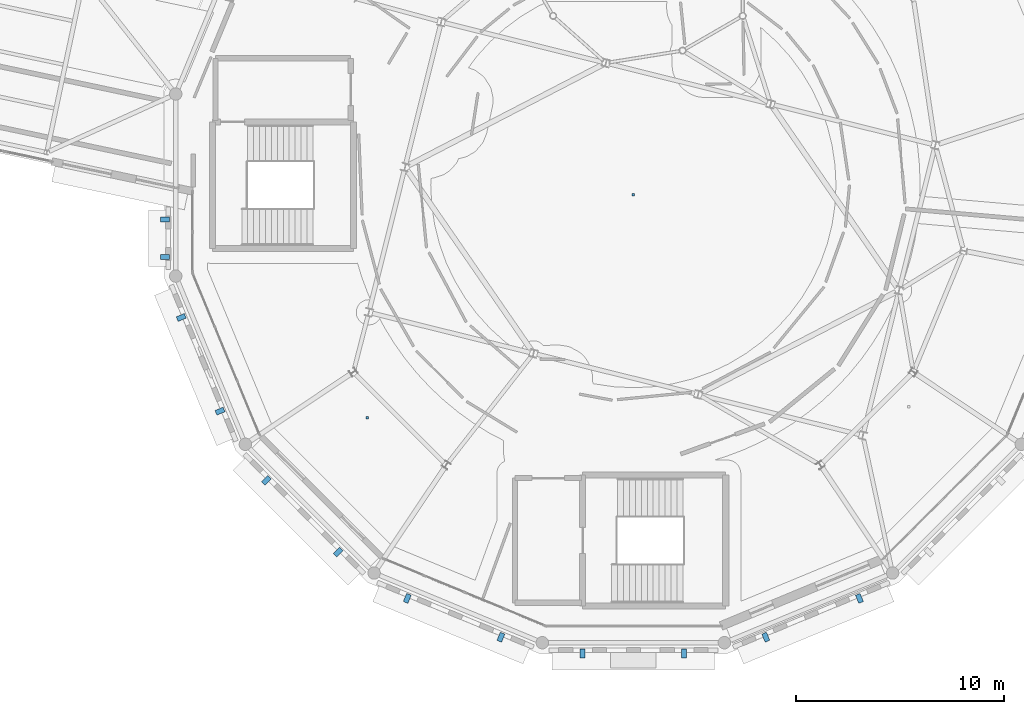
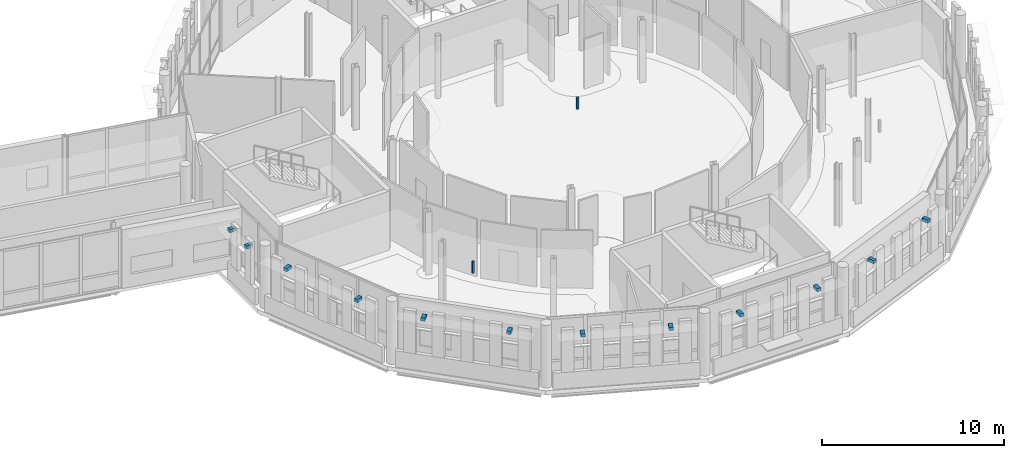
# One storey, part 112 of 125: 14 discrete accessories.
"""IFC4 building model written with IfcOpenShell, lengths in metres."""

from ifc_helpers import new_model, si_unit, direction, frame, origin, origin_2d, place, context, subcontext, project, spatial, rectangle, extrude, material, type_object, element, save


model = new_model("IFC4")

# Units and contexts
model_context = context("Model", 3, precision=1e-05, world=origin(), true_north=direction((0.0, 1.0)))
body_context = subcontext(model_context, "Body", "Model", "MODEL_VIEW")
ifc_project = project(units=[si_unit("LENGTHUNIT", "METRE"), si_unit("AREAUNIT", "SQUARE_METRE"), si_unit("VOLUMEUNIT", "CUBIC_METRE"), si_unit("PLANEANGLEUNIT", "RADIAN"), si_unit("MASSUNIT", "GRAM", prefix="KILO")], contexts=[model_context])

# Site, building, storey
site_placement = place(None, origin())
site = spatial("IfcSite", under=ifc_project, at=site_placement, CompositionType="ELEMENT")
building_placement = place(site_placement, origin())
building = spatial("IfcBuilding", under=site, at=building_placement, Name="Wrenclough Park School", CompositionType="ELEMENT")
storey_placement = place(building_placement, frame((0.0, 0.0, 4.199951171875)))
storey = spatial("IfcBuildingStorey", under=building, at=storey_placement, Name="L01", CompositionType="ELEMENT", Elevation=4.199951171875)

# Discrete accessories
ifc_material_1 = material(Name="Austenitic stainless steel Grade 1.4401", Category="steel")
discrete_accessory_type_1 = type_object("IfcDiscreteAccessoryType", Name="ENV-BRK-01", PredefinedType="BRACKET", material=ifc_material_1)
for number, where, z_axis, x_axis, name in (
    (1, (132.9619140625, 24.851318359375, 3.5400390625), (0.0, 0.0, 1.0), (0.0, -1.0, 0.0), "Brise-soleil stainless outrigger bracket 0005"),
    (2, (132.9619140625, 23.0390625, 3.5400390625), (0.0, 0.0, 1.0), (0.0, -1.0, 0.0), "Brise-soleil stainless outrigger bracket 0006"),
    (3, (133.744140625, 20.128173828125, 3.5400390625), (0.0, 0.0, 1.0), (0.382692183809, -0.923875907496, 0.0), "Brise-soleil stainless outrigger bracket 0007"),
    (4, (135.61083984375, 15.62158203125, 3.5400390625), (0.0, 0.0, 1.0), (0.382692183809, -0.923875907496, 0.0), "Brise-soleil stainless outrigger bracket 0008"),
    (5, (137.838623046875, 12.287841796875, 3.5400390625), (0.0, 0.0, 1.0), (0.707106781187, -0.707106781187, 0.0), "Brise-soleil stainless outrigger bracket 0009"),
    (6, (141.287841796875, 8.838623046875, 3.5400390625), (0.0, 0.0, 1.0), (0.707106781187, -0.707106781187, 0.0), "Brise-soleil stainless outrigger bracket 0010"),
    (7, (144.62158203125, 6.61083984375, 3.5400390625), (0.0, 0.0, 1.0), (0.923875907496, -0.382692183809, 0.0), "Brise-soleil stainless outrigger bracket 0011"),
    (8, (149.128173828125, 4.744140625, 3.5400390625), (0.0, 0.0, 1.0), (0.923875907496, -0.382692183809, 0.0), "Brise-soleil stainless outrigger bracket 0012"),
    (9, (153.06103515625, 3.9619140625, 3.5400390625), (0.0, 0.0, 1.0), (1.0, 0.0, 0.0), "Brise-soleil stainless outrigger bracket 0013"),
    (10, (157.93896484375, 3.9619140625, 3.5400390625), (0.0, 0.0, 1.0), (1.0, 0.0, 0.0), "Brise-soleil stainless outrigger bracket 0014"),
    (11, (161.871826171875, 4.744140625, 3.5400390625), (0.0, 0.0, 1.0), (0.923875907496, 0.382692183809, 0.0), "Brise-soleil stainless outrigger bracket 0015"),
    (12, (166.37841796875, 6.61083984375, 3.5400390625), (0.0, 0.0, 1.0), (0.923875907496, 0.382692183809, 0.0), "Brise-soleil stainless outrigger bracket 0016"),
):
    element("IfcDiscreteAccessory", number, at=place(storey_placement, frame(where, z_axis=z_axis, x_axis=x_axis)), inside=storey, type_object=discrete_accessory_type_1, Name=name, PredefinedType="BRACKET", context=body_context, shape_type="SweptSolid", body=[
        extrude(rectangle(XDim=0.239990234375, YDim=0.419921875, at=origin_2d()), origin(), (0.0, 0.0, 1.0), 0.199951171875),
    ])
ifc_material_2 = material(Name="Galvanised steel acoustic ceiling suspension hanger", Category="steel")
discrete_accessory_type_2 = type_object("IfcDiscreteAccessoryType", Name="INT-BRK-HGR", PredefinedType="BRACKET", material=ifc_material_2)
for number, where, z_axis, x_axis, name in (
    (13, (142.70361328125, 15.3076171875, 3.090087890625), (0.0, 0.0, 1.0), (1.0, 0.0, 0.0), "Acoustic ceiling hanger bracket 0019"),
    (14, (155.5, 26.022216796875, 3.090087890625), (0.0, 0.0, 1.0), (1.0, 0.0, 0.0), "Acoustic ceiling hanger bracket 0022"),
):
    element("IfcDiscreteAccessory", number, at=place(storey_placement, frame(where, z_axis=z_axis, x_axis=x_axis)), inside=storey, type_object=discrete_accessory_type_2, Name=name, PredefinedType="BRACKET", context=body_context, shape_type="SweptSolid", body=[
        extrude(rectangle(XDim=0.1201171875, YDim=0.1201171875, at=origin_2d()), origin(), (0.0, 0.0, 1.0), 0.7900390625),
    ])

save(model, "model.ifc")
